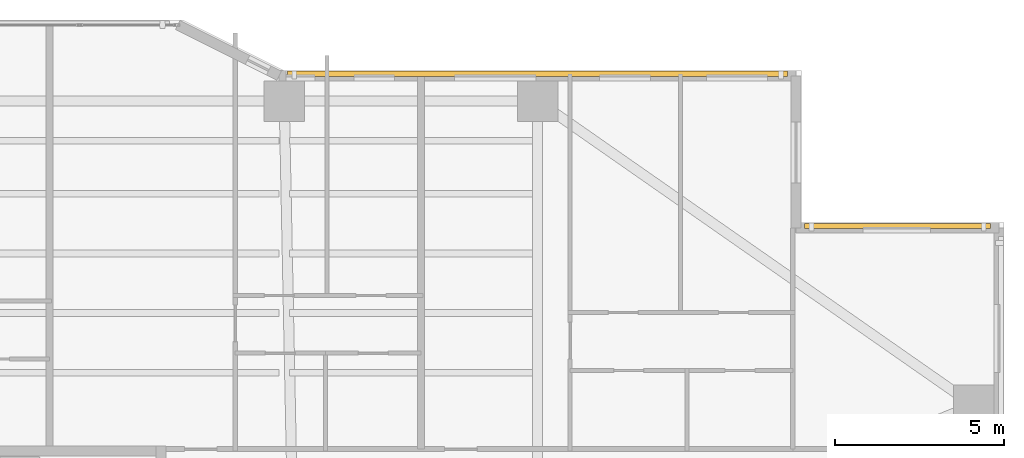
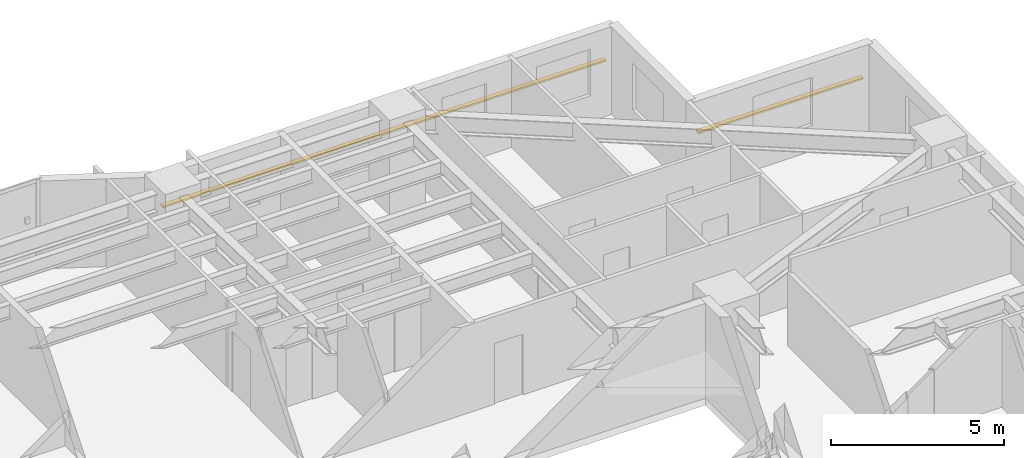
# One storey, part 22 of 22: 2 shading devices.
"""IFC4 building model written with IfcOpenShell, lengths in metres."""

from ifc_helpers import new_model, si_unit, direction, frame, origin, origin_2d, place, context, subcontext, project, spatial, rectangle, extrude, material, material_profile, profile_set, type_object, element, save


model = new_model("IFC4")

# Units and contexts
model_context = context("Model", 3, precision=1e-05, world=origin(), true_north=direction((0.0, 1.0)))
body_context = subcontext(model_context, "Body", "Model", "MODEL_VIEW")
ifc_project = project(units=[si_unit("LENGTHUNIT", "METRE"), si_unit("AREAUNIT", "SQUARE_METRE"), si_unit("VOLUMEUNIT", "CUBIC_METRE"), si_unit("PLANEANGLEUNIT", "RADIAN"), si_unit("MASSUNIT", "GRAM", prefix="KILO")], contexts=[model_context])

# Site, building, storey
site_placement = place(None, origin())
site = spatial("IfcSite", under=ifc_project, at=site_placement, CompositionType="ELEMENT")
building_placement = place(site_placement, origin())
building = spatial("IfcBuilding", under=site, at=building_placement, Name="Tarnavaz Court Tower", CompositionType="ELEMENT")
storey_placement = place(building_placement, frame((0.0, 0.0, 27.35009765625)))
storey = spatial("IfcBuildingStorey", under=building, at=storey_placement, Name="L06", CompositionType="ELEMENT", Elevation=27.35009765625)

# Shading devices
ifc_material = material(Name="Kiln-Fired Khorasan Terracotta Ceramic", Category="masonry")
ifc_material_profile = material_profile(ifc_material, rectangle(XDim=0.14990234375, YDim=0.06494140625, at=origin_2d()), Name="TC BAGUETTE 150X65")
ifc_profile_set = profile_set([ifc_material_profile], Name="Kiln-Fired Khorasan Terracotta Ceramic")
shading_device_type = type_object("IfcShadingDeviceType", Name="SD-BAG-150", PredefinedType="USERDEFINED", material=ifc_profile_set)
shading_device_1_placement = place(storey_placement, frame((7.60009765625, 23.610107421875, 1.849853515625), z_axis=(1.0, 0.0, 0.0), x_axis=(0.0, 1.0, 0.0)))
element("IfcShadingDevice", 1, at=shading_device_1_placement, inside=storey, type_object=shading_device_type, Name="L06 Terracotta Baguette Screen FBG09", ObjectType="BAGUETTE", PredefinedType="USERDEFINED", context=body_context, shape_type="SweptSolid", body=[
    extrude(rectangle(XDim=0.14990234375, YDim=0.06494140625, at=origin_2d()), origin(), (0.0, 0.0, 1.0), 14.7998046875),
])
shading_device_2_placement = place(storey_placement, frame((22.89990234375, 19.110107421875, 1.849853515625), z_axis=(1.0, 0.0, 0.0), x_axis=(0.0, 1.0, 0.0)))
element("IfcShadingDevice", 2, at=shading_device_2_placement, inside=storey, type_object=shading_device_type, Name="L06 Terracotta Baguette Screen FBG11", ObjectType="BAGUETTE", PredefinedType="USERDEFINED", context=body_context, shape_type="SweptSolid", body=[
    extrude(rectangle(XDim=0.14990234375, YDim=0.06494140625, at=origin_2d()), origin(), (0.0, 0.0, 1.0), 5.5),
])

save(model, "model.ifc")
